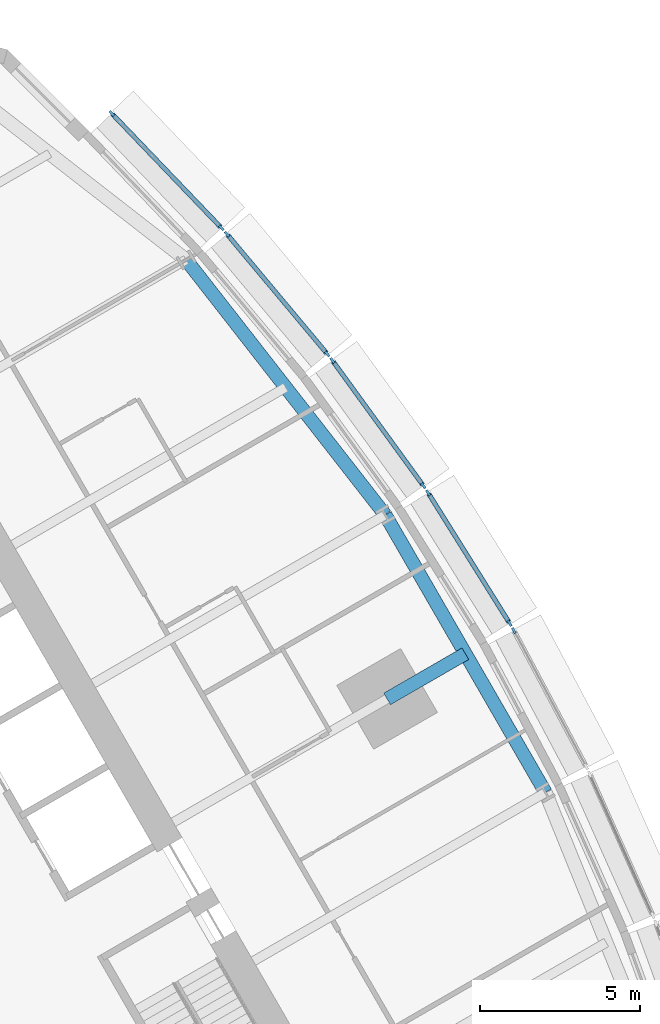
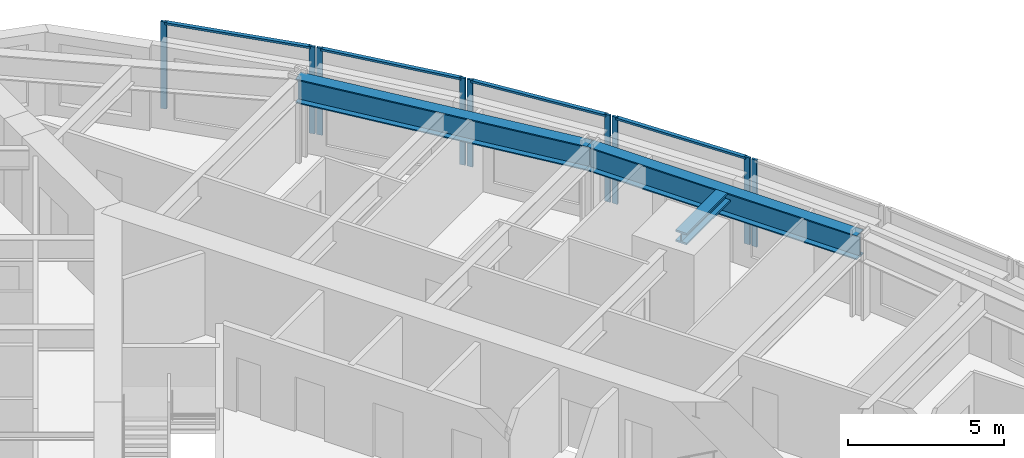
# One storey, part 5 of 14: 13 members, 3 beams, 5 elements without a shape of their own.
"""IFC4 building model written with IfcOpenShell, lengths in metres."""

from ifc_helpers import new_model, si_unit, direction, frame, origin, origin_2d, place, context, subcontext, project, spatial, rectangle, i_section, extrude, material, material_profile, profile_set, type_object, element, aggregate, save


model = new_model("IFC4")

# Units and contexts
model_context = context("Model", 3, precision=1e-05, world=origin(), true_north=direction((0.0, 1.0)))
body_context = subcontext(model_context, "Body", "Model", "MODEL_VIEW")
ifc_project = project(units=[si_unit("LENGTHUNIT", "METRE"), si_unit("AREAUNIT", "SQUARE_METRE"), si_unit("VOLUMEUNIT", "CUBIC_METRE"), si_unit("PLANEANGLEUNIT", "RADIAN"), si_unit("MASSUNIT", "GRAM", prefix="KILO")], contexts=[model_context])

# Site, building, storey
site_placement = place(None, origin())
site = spatial("IfcSite", under=ifc_project, at=site_placement, CompositionType="ELEMENT")
building_placement = place(site_placement, origin())
building = spatial("IfcBuilding", under=site, at=building_placement, Name="Trikona Tower", CompositionType="ELEMENT")
storey_placement = place(building_placement, frame((0.0, 0.0, 169.10009765625)))
storey = spatial("IfcBuildingStorey", under=building, at=storey_placement, Name="L45", CompositionType="ELEMENT", Elevation=169.10009765625)

# Curtain wall, member
ifc_material_1 = material(Name="Aluminium curtain wall system", Category="aluminium")
curtain_wall_type = type_object("IfcCurtainWallType", Name="Curtain wall DS2", PredefinedType="NOTDEFINED", material=ifc_material_1)
curtain_wall_1_placement = place(storey_placement, origin())
curtain_wall_1 = element("IfcCurtainWall", 1, at=curtain_wall_1_placement, inside=storey, type_object=curtain_wall_type, Name="Curtain wall DS2 L45", PredefinedType="NOTDEFINED")
ifc_material_2 = material(Name="Aluminium mullion, pale anodised", Category="aluminium")
ifc_material_profile_1 = material_profile(ifc_material_2, rectangle(XDim=0.080078125, YDim=0.199951171875, at=origin_2d()), Name="MUL-DS2")
ifc_profile_set_1 = profile_set([ifc_material_profile_1], Name="Aluminium mullion, pale anodised")
member_type_1 = type_object("IfcMemberType", Name="Mullion DS2 80x200", PredefinedType="MULLION", material=ifc_profile_set_1)
member_1_placement = place(storey_placement, frame((19.2666015625, 10.9716796875, 0.0), z_axis=(0.0, 0.0, 1.0), x_axis=(-0.882996107343, -0.469380308937, 0.0)))
member_1 = element("IfcMember", 2, at=member_1_placement, type_object=member_type_1, Name="CW-DS2 mullion 2", PredefinedType="MULLION", context=body_context, shape_type="SweptSolid", body=[
    extrude(rectangle(XDim=0.080078125, YDim=0.199951171875, at=origin_2d()), origin(), (0.0, 0.0, 1.0), 3.39990234375),
])
aggregate(curtain_wall_1, [member_1])

# Curtain wall, members
curtain_wall_2_placement = place(storey_placement, origin())
curtain_wall_2 = element("IfcCurtainWall", 3, at=curtain_wall_2_placement, inside=storey, type_object=curtain_wall_type, Name="Curtain wall DS2 L45", PredefinedType="NOTDEFINED")
member_2_placement = place(storey_placement, frame((19.135009765625, 11.199462890625, 0.0), z_axis=(0.0, 0.0, 1.0), x_axis=(-0.847998304006, -0.529998940002, 0.0)))
member_2 = element("IfcMember", 4, at=member_2_placement, type_object=member_type_1, Name="CW-DS2 mullion 1", PredefinedType="MULLION", context=body_context, shape_type="SweptSolid", body=[
    extrude(rectangle(XDim=0.080078125, YDim=0.199951171875, at=origin_2d()), origin(), (0.0, 0.0, 1.0), 3.39990234375),
])
member_3_placement = place(storey_placement, frame((16.589599609375, 15.2724609375, 0.0), z_axis=(0.0, 0.0, 1.0), x_axis=(-0.847998304006, -0.529998940002, 0.0)))
member_3 = element("IfcMember", 5, at=member_3_placement, type_object=member_type_1, Name="CW-DS2 mullion 2", PredefinedType="MULLION", context=body_context, shape_type="SweptSolid", body=[
    extrude(rectangle(XDim=0.080078125, YDim=0.199951171875, at=origin_2d()), origin(), (0.0, 0.0, 1.0), 3.39990234375),
])

curtain_wall_3_placement = place(storey_placement, origin())
curtain_wall_3 = element("IfcCurtainWall", 6, at=curtain_wall_3_placement, inside=storey, type_object=curtain_wall_type, Name="Curtain wall DS2 L45", PredefinedType="NOTDEFINED")
member_4_placement = place(storey_placement, frame((16.442626953125, 15.489990234375, 0.0), z_axis=(0.0, 0.0, 1.0), x_axis=(-0.80908576332, -0.587690588313, 0.0)))
member_4 = element("IfcMember", 7, at=member_4_placement, type_object=member_type_1, Name="CW-DS2 mullion 1", PredefinedType="MULLION", context=body_context, shape_type="SweptSolid", body=[
    extrude(rectangle(XDim=0.080078125, YDim=0.199951171875, at=origin_2d()), origin(), (0.0, 0.0, 1.0), 3.39990234375),
])
member_5_placement = place(storey_placement, frame((13.605712890625, 19.39599609375, 0.0), z_axis=(0.0, 0.0, 1.0), x_axis=(-0.80908576332, -0.587690588313, 0.0)))
member_5 = element("IfcMember", 8, at=member_5_placement, type_object=member_type_1, Name="CW-DS2 mullion 2", PredefinedType="MULLION", context=body_context, shape_type="SweptSolid", body=[
    extrude(rectangle(XDim=0.080078125, YDim=0.199951171875, at=origin_2d()), origin(), (0.0, 0.0, 1.0), 3.39990234375),
])

curtain_wall_4_placement = place(storey_placement, origin())
curtain_wall_4 = element("IfcCurtainWall", 9, at=curtain_wall_4_placement, inside=storey, type_object=curtain_wall_type, Name="Curtain wall DS2 L45", PredefinedType="NOTDEFINED")
member_6_placement = place(storey_placement, frame((13.44482421875, 19.602294921875, 0.0), z_axis=(0.0, 0.0, 1.0), x_axis=(-0.766866678271, -0.641806433248, 0.0)))
member_6 = element("IfcMember", 10, at=member_6_placement, type_object=member_type_1, Name="CW-DS2 mullion 1", PredefinedType="MULLION", context=body_context, shape_type="SweptSolid", body=[
    extrude(rectangle(XDim=0.080078125, YDim=0.199951171875, at=origin_2d()), origin(), (0.0, 0.0, 1.0), 3.39990234375),
])
member_7_placement = place(storey_placement, frame((10.315185546875, 23.34130859375, 0.0), z_axis=(0.0, 0.0, 1.0), x_axis=(-0.766866678271, -0.641806433248, 0.0)))
member_7 = element("IfcMember", 11, at=member_7_placement, type_object=member_type_1, Name="CW-DS2 mullion 2", PredefinedType="MULLION", context=body_context, shape_type="SweptSolid", body=[
    extrude(rectangle(XDim=0.080078125, YDim=0.199951171875, at=origin_2d()), origin(), (0.0, 0.0, 1.0), 3.39990234375),
])

curtain_wall_5_placement = place(storey_placement, origin())
curtain_wall_5 = element("IfcCurtainWall", 12, at=curtain_wall_5_placement, inside=storey, type_object=curtain_wall_type, Name="Curtain wall DS2 L45", PredefinedType="NOTDEFINED")
member_8_placement = place(storey_placement, frame((10.1416015625, 23.535400390625, 0.0), z_axis=(0.0, 0.0, 1.0), x_axis=(-0.722158330767, -0.691727797117, 0.0)))
member_8 = element("IfcMember", 13, at=member_8_placement, type_object=member_type_1, Name="CW-DS2 mullion 1", PredefinedType="MULLION", context=body_context, shape_type="SweptSolid", body=[
    extrude(rectangle(XDim=0.080078125, YDim=0.199951171875, at=origin_2d()), origin(), (0.0, 0.0, 1.0), 3.39990234375),
])
member_9_placement = place(storey_placement, frame((6.718994140625, 27.1083984375, 0.0), z_axis=(0.0, 0.0, 1.0), x_axis=(-0.722158330767, -0.691727797117, 0.0)))
member_9 = element("IfcMember", 14, at=member_9_placement, type_object=member_type_1, Name="CW-DS2 mullion 2", PredefinedType="MULLION", context=body_context, shape_type="SweptSolid", body=[
    extrude(rectangle(XDim=0.080078125, YDim=0.199951171875, at=origin_2d()), origin(), (0.0, 0.0, 1.0), 3.39990234375),
])

# Beams
ifc_material_3 = material(Name="Steel ASTM A992 Grade 50", Category="steel")
ifc_material_profile_2 = material_profile(ifc_material_3, i_section(OverallWidth=0.419189453125, OverallDepth=0.45458984375, WebThickness=0.042236328125, FlangeThickness=0.067626953125, at=origin_2d()), Name="W14X370")
ifc_profile_set_2 = profile_set([ifc_material_profile_2], Name="Steel ASTM A992 Grade 50")
beam_type_1 = type_object("IfcBeamType", Name="Steel beam W14x370 (apex bracket)", PredefinedType="BEAM", material=ifc_profile_set_2)
beam_1_placement = place(storey_placement, frame((15.311767578125, 8.84033203125, 3.007568359375), z_axis=(0.86605005072, 0.499957307824, 0.0), x_axis=(-0.499957307824, 0.86605005072, 0.0)))
element("IfcBeam", 15, at=beam_1_placement, inside=storey, type_object=beam_type_1, Name="Cantilever bracket L46 F2", PredefinedType="BEAM", context=body_context, shape_type="SweptSolid", body=[
    extrude(i_section(OverallWidth=0.419189453125, OverallDepth=0.45458984375, WebThickness=0.042236328125, FlangeThickness=0.067626953125, at=origin_2d()), origin(), (0.0, 0.0, 1.0), 2.819580078125),
])
ifc_material_4 = material(Name="Steel ASTM A992 Grade 50", Category="steel")
ifc_material_profile_3 = material_profile(ifc_material_4, i_section(OverallWidth=0.424072265625, OverallDepth=0.947509765625, WebThickness=0.02392578125, FlangeThickness=0.042724609375, at=origin_2d()), Name="W36X302")
ifc_profile_set_3 = profile_set([ifc_material_profile_3], Name="Steel ASTM A992 Grade 50")
beam_type_2 = type_object("IfcBeamType", Name="Steel beam W36x302 (spandrel)", PredefinedType="SPANDREL", material=ifc_profile_set_3)
beam_2_placement = place(storey_placement, frame((20.253662109375, 5.919921875, 2.76123046875), z_axis=(-0.500004234368, 0.866022959057, 0.0), x_axis=(-0.866022959057, -0.500004234368, 0.0)))
element("IfcBeam", 16, at=beam_2_placement, inside=storey, type_object=beam_type_2, Name="Spandrel beam L46 F2-3", PredefinedType="SPANDREL", context=body_context, shape_type="SweptSolid", body=[
    extrude(i_section(OverallWidth=0.424072265625, OverallDepth=0.947509765625, WebThickness=0.02392578125, FlangeThickness=0.042724609375, at=origin_2d()), origin(), (0.0, 0.0, 1.0), 10.0),
])
beam_3_placement = place(storey_placement, frame((15.253662109375, 14.580078125, 2.76123046875), z_axis=(-0.615232009054, 0.788346101046, 0.0), x_axis=(-0.788346101046, -0.615232009054, 0.0)))
element("IfcBeam", 17, at=beam_3_placement, inside=storey, type_object=beam_type_2, Name="Spandrel beam L46 F2-4", PredefinedType="SPANDREL", context=body_context, shape_type="SweptSolid", body=[
    extrude(i_section(OverallWidth=0.424072265625, OverallDepth=0.947509765625, WebThickness=0.02392578125, FlangeThickness=0.042724609375, at=origin_2d()), origin(), (0.0, 0.0, 1.0), 10.09765625),
])

# Member
ifc_material_5 = material(Name="Aluminium transom, pale anodised", Category="aluminium")
ifc_material_profile_4 = material_profile(ifc_material_5, rectangle(XDim=0.139892578125, YDim=0.080078125, at=origin_2d()), Name="TRN-DS2")
ifc_profile_set_4 = profile_set([ifc_material_profile_4], Name="Aluminium transom, pale anodised")
member_type_2 = type_object("IfcMemberType", Name="Transom DS2 80x140", PredefinedType="USERDEFINED", material=ifc_profile_set_4)
member_10_placement = place(storey_placement, frame((19.114013671875, 11.2333984375, 3.35986328125), z_axis=(-0.530031463794, 0.847977975769, 0.0), x_axis=(-0.847977975769, -0.530031463794, 0.0)))
member_10 = element("IfcMember", 18, at=member_10_placement, type_object=member_type_2, Name="CW-DS2 transom 1.1", ObjectType="TRANSOM", PredefinedType="USERDEFINED", context=body_context, shape_type="SweptSolid", body=[
    extrude(rectangle(XDim=0.139892578125, YDim=0.080078125, at=origin_2d()), origin(), (0.0, 0.0, 1.0), 4.72314453125),
])

aggregate(curtain_wall_2, [member_2, member_3, member_10])

member_11_placement = place(storey_placement, frame((16.419189453125, 15.5224609375, 3.35986328125), z_axis=(-0.587694585883, 0.809082859616, 0.0), x_axis=(-0.809082859616, -0.587694585883, 0.0)))
member_11 = element("IfcMember", 19, at=member_11_placement, type_object=member_type_2, Name="CW-DS2 transom 1.1", ObjectType="TRANSOM", PredefinedType="USERDEFINED", context=body_context, shape_type="SweptSolid", body=[
    extrude(rectangle(XDim=0.139892578125, YDim=0.080078125, at=origin_2d()), origin(), (0.0, 0.0, 1.0), 4.747314453125),
])

aggregate(curtain_wall_3, [member_4, member_5, member_11])

member_12_placement = place(storey_placement, frame((13.4189453125, 19.6328125, 3.35986328125), z_axis=(-0.641770294892, 0.766896921753, 0.0), x_axis=(-0.766896921753, -0.641770294892, 0.0)))
member_12 = element("IfcMember", 20, at=member_12_placement, type_object=member_type_2, Name="CW-DS2 transom 1.1", ObjectType="TRANSOM", PredefinedType="USERDEFINED", context=body_context, shape_type="SweptSolid", body=[
    extrude(rectangle(XDim=0.139892578125, YDim=0.080078125, at=origin_2d()), origin(), (0.0, 0.0, 1.0), 4.7958984375),
])

aggregate(curtain_wall_4, [member_6, member_7, member_12])

member_13_placement = place(storey_placement, frame((10.114013671875, 23.564208984375, 3.35986328125), z_axis=(-0.691721246785, 0.722164605022, 0.0), x_axis=(-0.722164605022, -0.691721246785, 0.0)))
member_13 = element("IfcMember", 21, at=member_13_placement, type_object=member_type_2, Name="CW-DS2 transom 1.1", ObjectType="TRANSOM", PredefinedType="USERDEFINED", context=body_context, shape_type="SweptSolid", body=[
    extrude(rectangle(XDim=0.139892578125, YDim=0.080078125, at=origin_2d()), origin(), (0.0, 0.0, 1.0), 4.867919921875),
])

aggregate(curtain_wall_5, [member_8, member_9, member_13])

save(model, "model.ifc")
